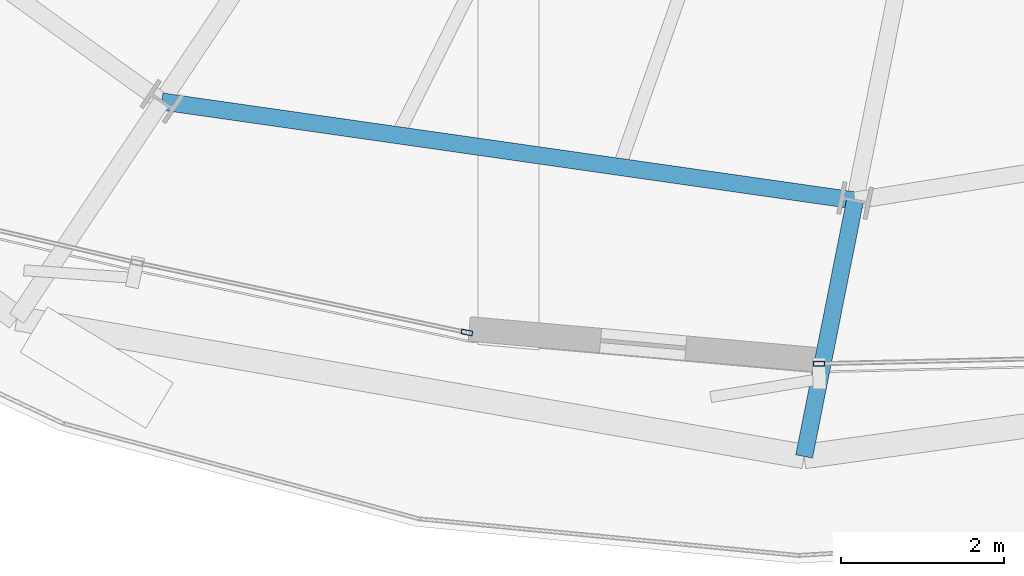
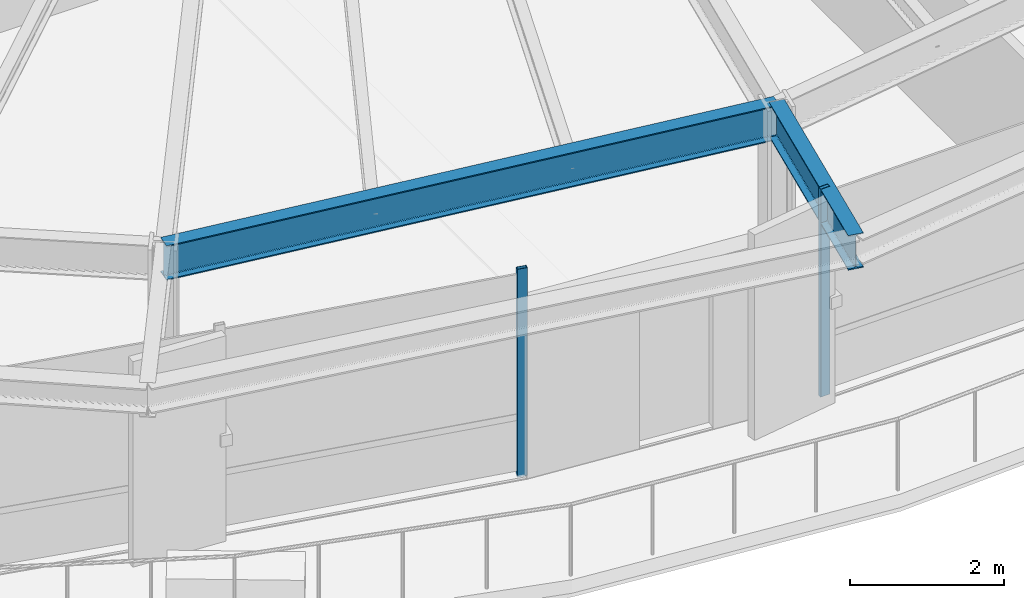
# One storey, part 5 of 37: 2 beams, 2 members, 2 elements without a shape of their own.
"""IFC4 building model written with IfcOpenShell, lengths in metres."""

from ifc_helpers import new_model, si_unit, direction, frame, origin, origin_2d, place, context, subcontext, project, spatial, hollow_rectangle, i_section, extrude, source, transform, mapped, material, layer, layer_set, material_profile, profile_set, type_object, element, aggregate, save


model = new_model("IFC4")

# Units and contexts
model_context = context("Model", 3, precision=1e-05, world=origin(), true_north=direction((0.0, 1.0)))
body_context = subcontext(model_context, "Body", "Model", "MODEL_VIEW")
ifc_project = project(units=[si_unit("LENGTHUNIT", "METRE"), si_unit("AREAUNIT", "SQUARE_METRE"), si_unit("VOLUMEUNIT", "CUBIC_METRE"), si_unit("PLANEANGLEUNIT", "RADIAN"), si_unit("MASSUNIT", "GRAM", prefix="KILO"), si_unit("THERMODYNAMICTEMPERATUREUNIT", "KELVIN")], contexts=[model_context])

# Site, building, storey
site_placement = place(None, origin())
site = spatial("IfcSite", under=ifc_project, at=site_placement, CompositionType="ELEMENT")
building_placement = place(site_placement, origin())
building = spatial("IfcBuilding", under=site, at=building_placement, Name="Kethvar Cultural Tower", CompositionType="ELEMENT")
storey_placement = place(building_placement, frame((0.0, 0.0, 132.35009765625)))
storey = spatial("IfcBuildingStorey", under=building, at=storey_placement, Name="L33", CompositionType="ELEMENT", Elevation=132.35009765625)

# Beams
ifc_material_1 = material(Name="Steel S355J2", Category="steel")
ifc_material_profile_1 = material_profile(ifc_material_1, i_section(OverallWidth=0.2099609375, OverallDepth=0.550048828125, WebThickness=0.010986328125, FlangeThickness=0.01708984375, FilletRadius=0.02392578125, at=origin_2d()), Name="Steel S355J2 — IPE550")
ifc_profile_set_1 = profile_set([ifc_material_profile_1], Name="Steel S355J2 — IPE550")
beam_type = type_object("IfcBeamType", Name="BM-IPE550", PredefinedType="BEAM", material=ifc_profile_set_1)
shared_shape_1 = source(origin(), body_context, "Body", "SweptSolid", [
    extrude(i_section(OverallWidth=0.2099609375, OverallDepth=0.550048828125, WebThickness=0.010986328125, FlangeThickness=0.01708984375, FilletRadius=0.02392578125, at=origin_2d()), origin(), (0.0, 0.0, 1.0), 3.2001953125),
])
beam_1_placement = place(storey_placement, frame((42.852294921875, 7.95361328125, 3.02294921875), z_axis=(-0.195074368086, -0.980788453702, 0.0), x_axis=(0.980788453702, -0.195074368086, 0.0)))
element("IfcBeam", 1, at=beam_1_placement, inside=storey, type_object=beam_type, Name="L33 Perimeter Cantilever Beam RC-12", PredefinedType="BEAM", context=body_context, shape_type="MappedRepresentation", body=[
    mapped(shared_shape_1, transform((0.0, 0.0, 0.0), scale=1.0)),
])
shared_shape_2 = source(origin(), body_context, "Body", "SweptSolid", [
    extrude(i_section(OverallWidth=0.2099609375, OverallDepth=0.550048828125, WebThickness=0.010986328125, FlangeThickness=0.01708984375, FilletRadius=0.02392578125, at=origin_2d()), origin(), (0.0, 0.0, 1.0), 8.587890625),
])
beam_2_placement = place(storey_placement, frame((34.350830078125, 9.16845703125, 3.02294921875), z_axis=(0.989943807123, -0.141461156288, 0.0), x_axis=(0.141461156288, 0.989943807123, 0.0)))
element("IfcBeam", 2, at=beam_2_placement, inside=storey, type_object=beam_type, Name="L33 Column Ring Tie Beam CR-11", PredefinedType="BEAM", context=body_context, shape_type="MappedRepresentation", body=[
    mapped(shared_shape_2, transform((0.0, 0.0, 0.0), scale=1.0)),
])

# Curtain wall, member
ifc_material_2 = material(Name="Aluminium 6063-T6", Category="aluminium")
ifc_layer = layer(ifc_material_2, 0.179931640625, Name="Aluminium 6063-T6", Category="aluminium")
ifc_layer_set = layer_set([ifc_layer], Name="Aluminium 6063-T6 (180 mm)")
curtain_wall_type = type_object("IfcCurtainWallType", Name="CW-SYS-04-Z34", PredefinedType="NOTDEFINED", material=ifc_layer_set)
curtain_wall_1_placement = place(storey_placement, origin())
curtain_wall_1 = element("IfcCurtainWall", 3, at=curtain_wall_1_placement, inside=storey, type_object=curtain_wall_type, Name="L33 Curtain Wall Run 04", PredefinedType="NOTDEFINED")
ifc_material_profile_2 = material_profile(ifc_material_2, hollow_rectangle(XDim=0.06005859375, YDim=0.139892578125, WallThickness=0.0048828125, at=origin_2d()), Name="Aluminium 6063-T6 — RHS140x60x5")
ifc_profile_set_2 = profile_set([ifc_material_profile_2], Name="Aluminium 6063-T6 — RHS140x60x5")
member_type = type_object("IfcMemberType", Name="CW-SYS-04-Z34-MUL", PredefinedType="MULLION", material=ifc_profile_set_2)
shared_shape_3 = source(origin(), body_context, "Body", "SweptSolid", [
    extrude(hollow_rectangle(XDim=0.06005859375, YDim=0.139892578125, WallThickness=0.0048828125, at=origin_2d()), origin(), (0.0, 0.0, 1.0), 3.2998046875),
])
member_1_placement = place(storey_placement, frame((38.09228515625, 6.335693359375, 0.0), z_axis=(0.0, 0.0, 1.0), x_axis=(0.207092166936, 0.978321437153, 0.0)))
member_1 = element("IfcMember", 4, at=member_1_placement, type_object=member_type, Name="CW-L33-R04 Mullion 6", PredefinedType="MULLION", context=body_context, shape_type="MappedRepresentation", body=[
    mapped(shared_shape_3, transform((0.0, 0.0, 0.0), scale=1.0)),
])
aggregate(curtain_wall_1, [member_1])

curtain_wall_2_placement = place(storey_placement, origin())
curtain_wall_2 = element("IfcCurtainWall", 5, at=curtain_wall_2_placement, inside=storey, type_object=curtain_wall_type, Name="L33 Curtain Wall Run 05", PredefinedType="NOTDEFINED")
member_2_placement = place(storey_placement, frame((42.410400390625, 5.952880859375, 0.0), z_axis=(0.0, 0.0, 1.0), x_axis=(-0.023001410852, 0.999735432551, 0.0)))
member_2 = element("IfcMember", 6, at=member_2_placement, type_object=member_type, Name="CW-L33-R05 Mullion 1", PredefinedType="MULLION", context=body_context, shape_type="MappedRepresentation", body=[
    mapped(shared_shape_3, transform((0.0, 0.0, 0.0), scale=1.0)),
])
aggregate(curtain_wall_2, [member_2])

save(model, "model.ifc")
